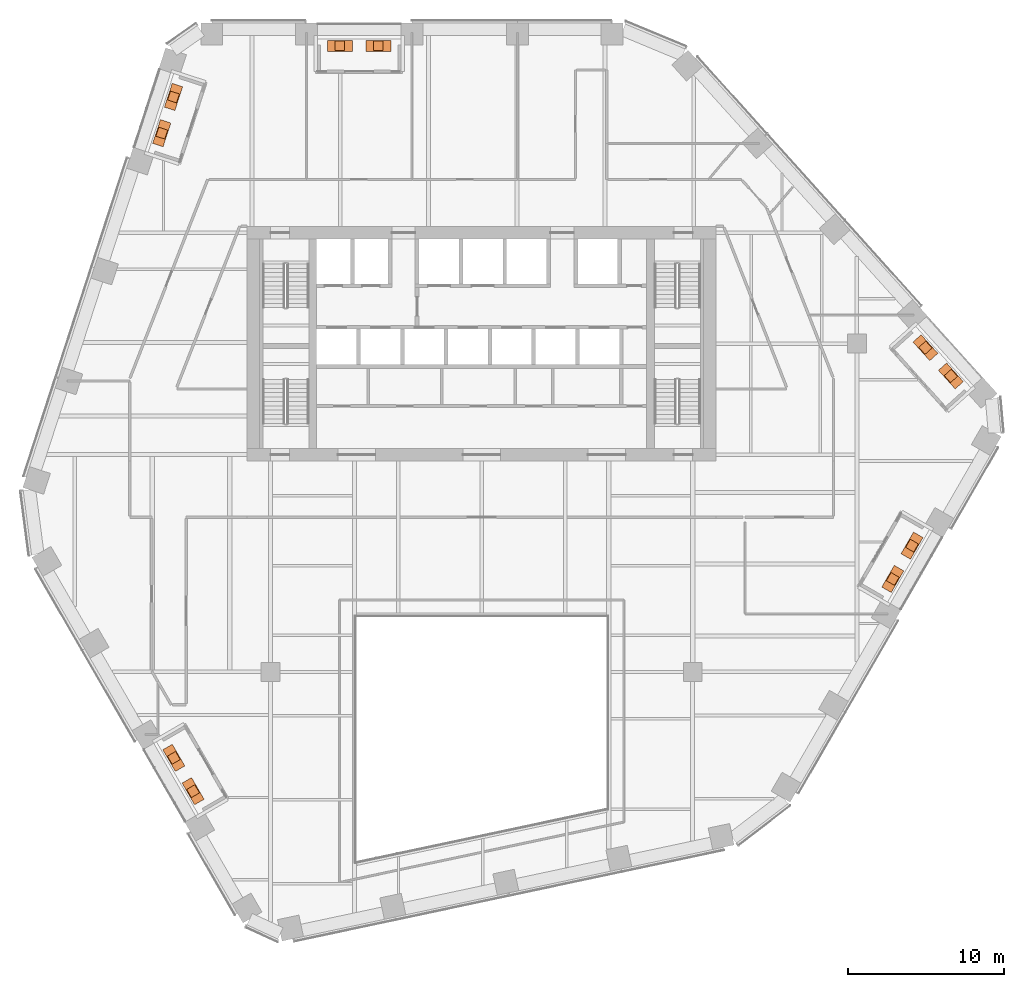
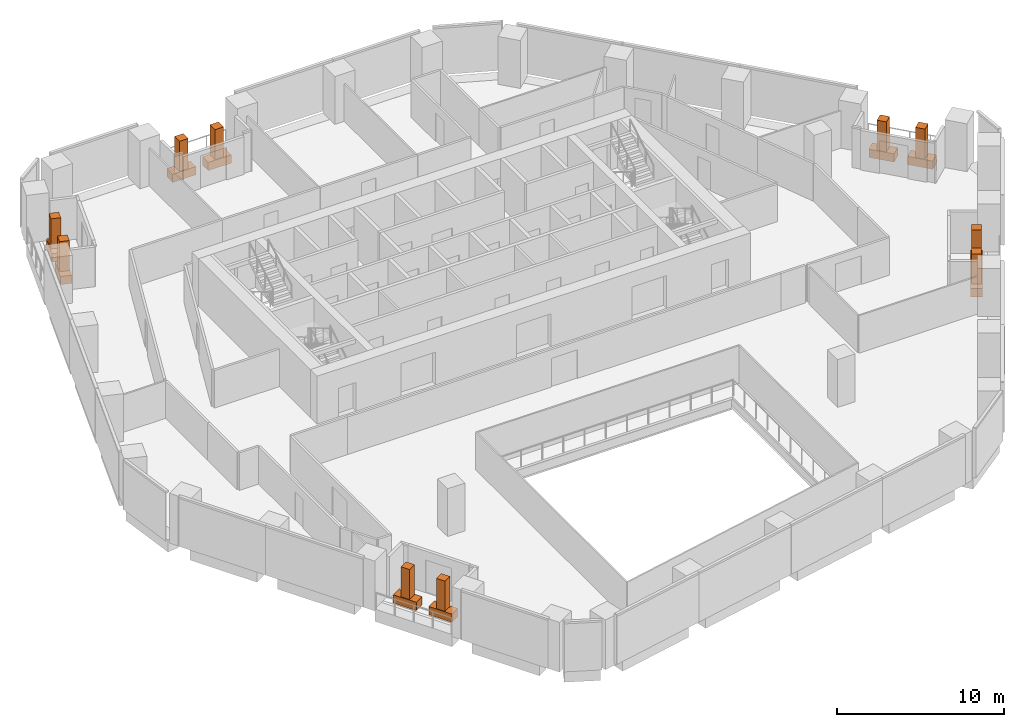
# One storey, part 26 of 26: 10 geographic elements, 10 proxies.
"""IFC4 building model written with IfcOpenShell, lengths in metres."""

import ifcopenshell
import ifcopenshell.guid

model = None  # the IFC model being written
_history = None  # IfcOwnerHistory: only IFC2X3 demands one
_inside = {}  # id of a spatial element -> (the spatial element, [elements in it])
_under = {}  # id of a project, library or spatial element -> (it, [spatial elements below it])
_declared = {}  # id of a project -> (the project, [libraries it declares])
_typed = {}  # id of a type object -> (the type object, [elements of that type])
_made_of = {}  # id of a material, layer set ... -> (it, [elements and type objects made of it])


def new_model(schema):
    """Start an empty IFC model of exactly this schema.

    Asked for "IFC4X3", IfcOpenShell would pick the latest addendum, in which some entities
    have other attributes; the version numbers below select the first issue.
    IFC2X3 requires an IfcOwnerHistory on every rooted entity: one is made here for all.
    """
    global model, _history
    if schema == "IFC4X3":
        model = ifcopenshell.file(schema_version=(4, 3, 0, 0))
    else:
        model = ifcopenshell.file(schema=schema)
    _inside.clear()
    _under.clear()
    _declared.clear()
    _typed.clear()
    _made_of.clear()
    _history = None
    if model.schema == "IFC2X3":
        org = make("IfcOrganization", Name="unknown")
        user = make(
            "IfcPersonAndOrganization",
            ThePerson=make("IfcPerson", FamilyName="unknown"),
            TheOrganization=org,
        )
        app = make(
            "IfcApplication",
            ApplicationDeveloper=org,
            Version="unknown",
            ApplicationFullName="unknown",
            ApplicationIdentifier="unknown",
        )
        _history = make(
            "IfcOwnerHistory",
            OwningUser=user,
            OwningApplication=app,
            ChangeAction="ADDED",
            CreationDate=0,
        )
    return model


def make(cls, **values):
    """One entity of the class cls with the attributes given. An attribute that is None is left unset."""
    return model.create_entity(
        cls, **{name: value for name, value in values.items() if value is not None}
    )


def rooted(cls, **values):
    """An entity with a GlobalId (a new one), such as an element, a storey or a relation."""
    return make(cls, GlobalId=ifcopenshell.guid.new(), OwnerHistory=_history, **values)


def si_unit(unit_type, name, prefix=None):
    """IfcSIUnit, for example si_unit("LENGTHUNIT", "METRE", prefix="MILLI")."""
    return make("IfcSIUnit", UnitType=unit_type, Prefix=prefix, Name=name)


def assignment(units):
    """IfcUnitAssignment: the units of a project."""
    return None if units is None else make("IfcUnitAssignment", Units=units)


def point(xyz):
    """IfcCartesianPoint."""
    return None if xyz is None else make("IfcCartesianPoint", Coordinates=xyz)


def direction(xyz):
    """IfcDirection."""
    return None if xyz is None else make("IfcDirection", DirectionRatios=xyz)


def frame(location, z_axis=None, x_axis=None):
    """IfcAxis2Placement3D, a coordinate frame: its origin and axes. An axis left out is left unset."""
    return make(
        "IfcAxis2Placement3D",
        Location=point(location),
        Axis=direction(z_axis),
        RefDirection=direction(x_axis),
    )


def frame_2d(location, x_axis=None):
    """IfcAxis2Placement2D, a coordinate frame in the plane: its origin and x axis."""
    return make(
        "IfcAxis2Placement2D", Location=point(location), RefDirection=direction(x_axis)
    )


def origin():
    """The frame at (0, 0, 0) with its axes left unset."""
    return frame((0.0, 0.0, 0.0))


def origin_2d():
    """The frame at (0, 0) in the plane with its x axis left unset."""
    return frame_2d((0.0, 0.0))


def place(relative_to, where):
    """IfcLocalPlacement: puts the frame where relative to a parent placement (None: the world)."""
    return make(
        "IfcLocalPlacement", PlacementRelTo=relative_to, RelativePlacement=where
    )


def context(
    kind, dimensions, precision=None, world=None, true_north=None, identifier=None
):
    """IfcGeometricRepresentationContext, for example the 3D "Model" context."""
    return make(
        "IfcGeometricRepresentationContext",
        ContextIdentifier=identifier,
        ContextType=kind,
        CoordinateSpaceDimension=dimensions,
        Precision=precision,
        WorldCoordinateSystem=world,
        TrueNorth=true_north,
    )


def subcontext(parent, identifier, kind, view, scale=None):
    """IfcGeometricRepresentationSubContext, for example "Body" below "Model"."""
    return make(
        "IfcGeometricRepresentationSubContext",
        ContextIdentifier=identifier,
        ContextType=kind,
        ParentContext=parent,
        TargetScale=scale,
        TargetView=view,
    )


def project(units=None, contexts=None):
    """IfcProject with its units and contexts."""
    return rooted(
        "IfcProject",
        Name="project",
        RepresentationContexts=contexts,
        UnitsInContext=assignment(units),
    )


def spatial(cls, under=None, at=None, **own):
    """A site, building, storey or space (cls), placed at a placement, below another one or the project."""
    s = rooted(cls, ObjectPlacement=at, **own)
    if under is not None:
        _under.setdefault(under.id(), (under, []))[1].append(s)
    return s


def profile(cls, at=None, kind="AREA", **sizes):
    """A parametric profile (cls). Its sizes go by their IFC names, for example OverallWidth=200.0."""
    return make(cls, ProfileType=kind, Position=at, **sizes)


def rectangle(**sizes):
    """IfcRectangleProfileDef."""
    return profile("IfcRectangleProfileDef", **sizes)


def extrude(swept, where, along, depth):
    """IfcExtrudedAreaSolid: the profile swept, set in the frame where, extruded along a direction by depth."""
    return make(
        "IfcExtrudedAreaSolid",
        SweptArea=swept,
        Position=where,
        ExtrudedDirection=direction(along),
        Depth=depth,
    )


def shape(context_of_items, identifier, shape_type, items):
    """IfcShapeRepresentation: the items that make up one representation, for example the "Body"."""
    return make(
        "IfcShapeRepresentation",
        ContextOfItems=context_of_items,
        RepresentationIdentifier=identifier,
        RepresentationType=shape_type,
        Items=items,
    )


def material(Name=None, Category=None):
    """IfcMaterial."""
    return make("IfcMaterial", Name=Name, Category=Category)


def made_of(thing, what):
    """Note that an element or type object is made of a material, layer set ...; save() writes the relation."""
    if what is not None:
        _made_of.setdefault(what.id(), (what, []))[1].append(thing)
    return thing


def type_object(cls, material=None, **own):
    """A type object (cls), such as IfcWallType, which elements share."""
    return made_of(rooted(cls, **own), material)


def element(
    cls,
    number,
    at=None,
    inside=None,
    cuts=None,
    type_object=None,
    material=None,
    context=None,
    identifier="Body",
    shape_type=None,
    held_by="IfcProductDefinitionShape",
    body=None,
    shapes=None,
    **own,
):
    """One element of the class cls, such as IfcWall. Its Tag is "e" and its number.

    at: its placement. inside: the storey or other place that contains it. cuts: it is an
    opening in that element (IfcRelVoidsElement). A single representation is given by context,
    identifier, shape_type and body (its items); several are given by shapes. held_by: the class
    of the entity that holds the representations. save() writes the other relations.
    """
    e = rooted(cls, Tag="e%d" % number, ObjectPlacement=at, **own)
    if body is not None:
        shapes = [shape(context, identifier, shape_type, body)]
    if shapes is not None:
        e.Representation = make(held_by, Representations=shapes)
    if inside is not None:
        _inside.setdefault(inside.id(), (inside, []))[1].append(e)
    if cuts is not None:
        rooted(
            "IfcRelVoidsElement", RelatingBuildingElement=cuts, RelatedOpeningElement=e
        )
    if type_object is not None:
        _typed.setdefault(type_object.id(), (type_object, []))[1].append(e)
    return made_of(e, material)


def aggregate(whole, parts):
    """IfcRelAggregates: a whole, such as a stair, and the parts it consists of."""
    return rooted("IfcRelAggregates", RelatingObject=whole, RelatedObjects=parts)


def save(model, path):
    """Write the relations noted so far, then the file.

    IfcRelAggregates (storeys below a building ...), IfcRelContainedInSpatialStructure (elements
    in a storey), IfcRelDefinesByType, IfcRelAssociatesMaterial and IfcRelDeclares: one each for
    every whole, place, type object, material and project.
    """
    for whole, parts in _under.values():
        aggregate(whole, parts)
    for where, things in _inside.values():
        rooted(
            "IfcRelContainedInSpatialStructure",
            RelatedElements=things,
            RelatingStructure=where,
        )
    for kind, things in _typed.values():
        rooted("IfcRelDefinesByType", RelatedObjects=things, RelatingType=kind)
    for what, things in _made_of.values():
        rooted("IfcRelAssociatesMaterial", RelatedObjects=things, RelatingMaterial=what)
    for by, libraries in _declared.values():
        rooted("IfcRelDeclares", RelatingContext=by, RelatedDefinitions=libraries)
    model.write(path)


model = new_model("IFC4")

# Units and contexts
model_context = context("Model", 3, precision=1e-05, world=origin(), true_north=direction((0.0, 1.0)))
body_context = subcontext(model_context, "Body", "Model", "MODEL_VIEW")
ifc_project = project(units=[si_unit("LENGTHUNIT", "METRE"), si_unit("AREAUNIT", "SQUARE_METRE"), si_unit("VOLUMEUNIT", "CUBIC_METRE"), si_unit("PLANEANGLEUNIT", "RADIAN"), si_unit("MASSUNIT", "GRAM", prefix="KILO")], contexts=[model_context])

# Site, building, storey
site_placement = place(None, origin())
site = spatial("IfcSite", under=ifc_project, at=site_placement, CompositionType="ELEMENT")
building_placement = place(site_placement, origin())
building = spatial("IfcBuilding", under=site, at=building_placement, Name="Isthmus Gate Tower", CompositionType="ELEMENT")
storey_placement = place(building_placement, frame((0.0, 0.0, 129.800048828125)))
storey = spatial("IfcBuildingStorey", under=building, at=storey_placement, Name="L31", CompositionType="ELEMENT", Elevation=129.800048828125)

# Geographic elements
ifc_material_1 = material(Name="Plant material, broadleaf tree")
geographic_element_type = type_object("IfcGeographicElementType", Name="BROADLEAF TREE 2200 HIGH", PredefinedType="USERDEFINED", material=ifc_material_1)
for number, where, z_axis, x_axis, name in (
    (1, (-6.606201171875, 26.550048828125, 0.60009765625), (0.0, 0.0, 1.0), (-1.0, 0.0, 0.0), "TREE"),
    (2, (-9.0673828125, 26.550048828125, 0.60009765625), (0.0, 0.0, 1.0), (-1.0, 0.0, 0.0), "TREE"),
    (3, (-19.7099609375, 23.27685546875, 0.60009765625), (0.0, 0.0, 1.0), (-0.309016994375, -0.951056516295, 0.0), "TREE"),
    (4, (-20.4619140625, 20.962158203125, 0.60009765625), (0.0, 0.0, 1.0), (-0.309016994375, -0.951056516295, 0.0), "TREE"),
    (5, (-19.68994140625, -18.99609375, 0.60009765625), (0.0, 0.0, 1.0), (0.5, -0.866025403784, 0.0), "TREE"),
    (6, (-18.459228515625, -21.12744140625, 0.60009765625), (0.0, 0.0, 1.0), (0.5, -0.866025403784, 0.0), "TREE"),
    (7, (26.296142578125, -7.5537109375, 0.60009765625), (0.0, 0.0, 1.0), (0.5, 0.866025403784, 0.0), "TREE"),
    (8, (27.526611328125, -5.422607421875, 0.60009765625), (0.0, 0.0, 1.0), (0.5, 0.866025403784, 0.0), "TREE"),
    (9, (30.01318359375, 5.430908203125, 0.60009765625), (0.0, 0.0, 1.0), (-0.669130606359, 0.743144825477, 0.0), "TREE"),
    (10, (28.384765625, 7.239501953125, 0.60009765625), (0.0, 0.0, 1.0), (-0.669130606359, 0.743144825477, 0.0), "TREE"),
):
    element("IfcGeographicElement", number, at=place(storey_placement, frame(where, z_axis=z_axis, x_axis=x_axis)), inside=storey, type_object=geographic_element_type, Name=name, ObjectType="TREE", PredefinedType="USERDEFINED", context=body_context, shape_type="SweptSolid", body=[
        extrude(rectangle(XDim=0.60009765625, YDim=0.60009765625, at=origin_2d()), origin(), (0.0, 0.0, 1.0), 2.199951171875),
    ])

# Proxies
ifc_material_2 = material(Name="Concrete f'c 40 MPa", Category="concrete")
building_element_proxy_type = type_object("IfcBuildingElementProxyType", Name="CONCRETE PLANTER 1600 X 700 X 600", PredefinedType="USERDEFINED", material=ifc_material_2)
for number, where, z_axis, x_axis, name in (
    (11, (-6.606201171875, 26.550048828125, 0.0), (0.0, 0.0, 1.0), (-1.0, 0.0, 0.0), "PLANTER"),
    (12, (-9.0673828125, 26.550048828125, 0.0), (0.0, 0.0, 1.0), (-1.0, 0.0, 0.0), "PLANTER"),
    (13, (-19.7099609375, 23.27685546875, 0.0), (0.0, 0.0, 1.0), (-0.309016994375, -0.951056516295, 0.0), "PLANTER"),
    (14, (-20.4619140625, 20.962158203125, 0.0), (0.0, 0.0, 1.0), (-0.309016994375, -0.951056516295, 0.0), "PLANTER"),
    (15, (-19.68994140625, -18.99609375, 0.0), (0.0, 0.0, 1.0), (0.5, -0.866025403784, 0.0), "PLANTER"),
    (16, (-18.459228515625, -21.12744140625, 0.0), (0.0, 0.0, 1.0), (0.5, -0.866025403784, 0.0), "PLANTER"),
    (17, (26.296142578125, -7.5537109375, 0.0), (0.0, 0.0, 1.0), (0.5, 0.866025403784, 0.0), "PLANTER"),
    (18, (27.526611328125, -5.422607421875, 0.0), (0.0, 0.0, 1.0), (0.5, 0.866025403784, 0.0), "PLANTER"),
    (19, (30.01318359375, 5.430908203125, 0.0), (0.0, 0.0, 1.0), (-0.669130606359, 0.743144825477, 0.0), "PLANTER"),
    (20, (28.384765625, 7.239501953125, 0.0), (0.0, 0.0, 1.0), (-0.669130606359, 0.743144825477, 0.0), "PLANTER"),
):
    element("IfcBuildingElementProxy", number, at=place(storey_placement, frame(where, z_axis=z_axis, x_axis=x_axis)), inside=storey, type_object=building_element_proxy_type, Name=name, ObjectType="PLANTER", PredefinedType="USERDEFINED", context=body_context, shape_type="SweptSolid", body=[
        extrude(rectangle(XDim=1.60009765625, YDim=0.699951171875, at=origin_2d()), origin(), (0.0, 0.0, 1.0), 0.60009765625),
    ])

save(model, "model.ifc")
